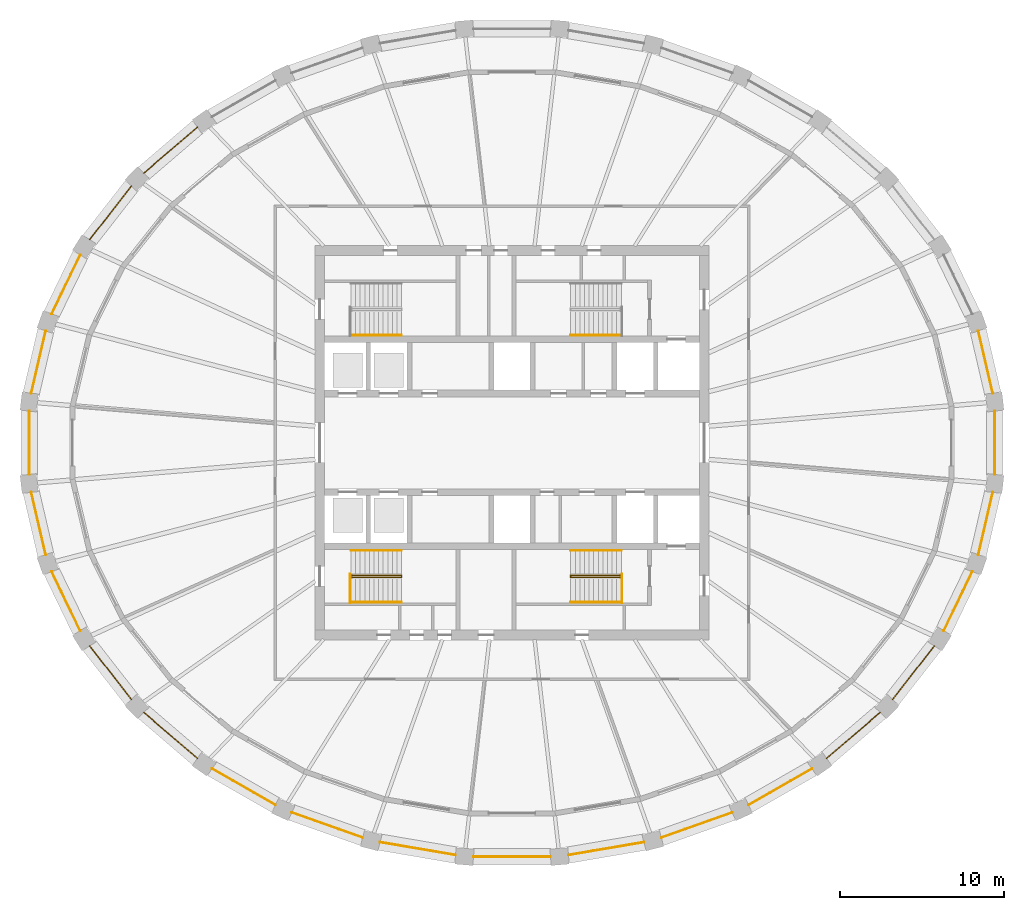
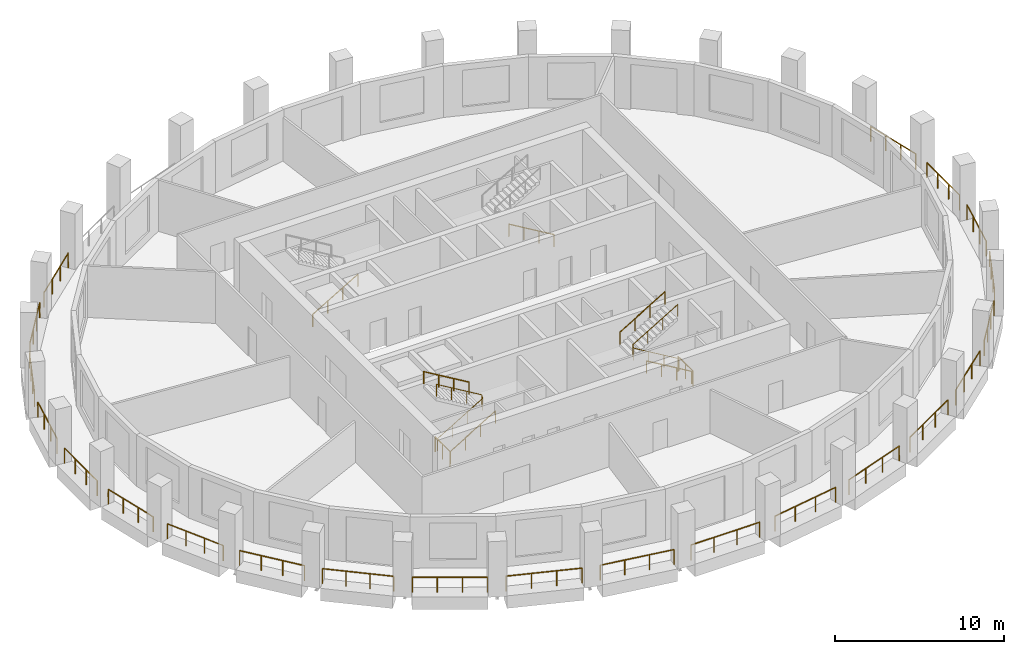
# One storey, part 8 of 10: 32 railings.
"""IFC4 building model written with IfcOpenShell, lengths in metres."""

from ifc_helpers import new_model, si_unit, direction, frame, origin, origin_2d, place, context, subcontext, project, spatial, circle, extrude, material, type_object, element, save


model = new_model("IFC4")

# Units and contexts
model_context = context("Model", 3, precision=1e-05, world=origin(), true_north=direction((0.0, 1.0)))
body_context = subcontext(model_context, "Body", "Model", "MODEL_VIEW")
ifc_project = project(units=[si_unit("LENGTHUNIT", "METRE"), si_unit("AREAUNIT", "SQUARE_METRE"), si_unit("VOLUMEUNIT", "CUBIC_METRE"), si_unit("PLANEANGLEUNIT", "RADIAN"), si_unit("MASSUNIT", "GRAM", prefix="KILO")], contexts=[model_context])

# Site, building, storey
site_placement = place(None, origin())
site = spatial("IfcSite", under=ifc_project, at=site_placement, CompositionType="ELEMENT")
building_placement = place(site_placement, origin())
building = spatial("IfcBuilding", under=site, at=building_placement, Name="Halqa Exchange Tower", CompositionType="ELEMENT")
storey_placement = place(building_placement, frame((0.0, 0.0, 284.300048828125)))
storey = spatial("IfcBuildingStorey", under=building, at=storey_placement, Name="L66", CompositionType="ELEMENT", Elevation=284.300048828125)

# Railings
ifc_material = material(Name="Stainless steel", Category="steel")
railing_type_1 = type_object("IfcRailingType", Name="Guard 1100 stainless steel", PredefinedType="GUARDRAIL", material=ifc_material)
railing_1_placement = place(storey_placement, frame((29.259765625, 3.016357421875, 0.0)))
element("IfcRailing", 1, at=railing_1_placement, inside=storey, type_object=railing_type_1, Name="Loggia guard 1", PredefinedType="GUARDRAIL", context=body_context, shape_type="SweptSolid", body=[
    extrude(circle(Radius=0.02392578125, at=origin_2d()), frame((0.0, 0.0, 1.076171875), z_axis=(-0.226072359683, 0.974110511281, 0.0), x_axis=(-0.974110511281, -0.226072359683, 0.0)), (0.0, 0.0, 1.0), 3.895263671875),
    extrude(circle(Radius=0.02099609375, at=origin_2d()), origin(), (0.0, 0.0, 1.0), 1.052001953125),
    extrude(circle(Radius=0.02099609375, at=origin_2d()), frame((-0.29345703125, 1.264892578125, 0.0)), (0.0, 0.0, 1.0), 1.052001953125),
    extrude(circle(Radius=0.02099609375, at=origin_2d()), frame((-0.587158203125, 2.529541015625, 0.0)), (0.0, 0.0, 1.0), 1.052001953125),
    extrude(circle(Radius=0.02099609375, at=origin_2d()), frame((-0.880615234375, 3.79443359375, 0.0)), (0.0, 0.0, 1.0), 1.052001953125),
])
railing_2_placement = place(storey_placement, frame((-19.14892578125, 19.205810546875, 0.0)))
element("IfcRailing", 2, at=railing_2_placement, inside=storey, type_object=railing_type_1, Name="Loggia guard 12", PredefinedType="GUARDRAIL", context=body_context, shape_type="SweptSolid", body=[
    extrude(circle(Radius=0.02392578125, at=origin_2d()), frame((0.0, 0.0, 1.076171875), z_axis=(-0.759224469346, -0.650828860105, 0.0), x_axis=(0.650828860105, -0.759224469346, 0.0)), (0.0, 0.0, 1.0), 4.290771484375),
    extrude(circle(Radius=0.02099609375, at=origin_2d()), origin(), (0.0, 0.0, 1.0), 1.052001953125),
    extrude(circle(Radius=0.02099609375, at=origin_2d()), frame((-1.0859375, -0.930908203125, 0.0)), (0.0, 0.0, 1.0), 1.052001953125),
    extrude(circle(Radius=0.02099609375, at=origin_2d()), frame((-2.171630859375, -1.861572265625, 0.0)), (0.0, 0.0, 1.0), 1.052001953125),
    extrude(circle(Radius=0.02099609375, at=origin_2d()), frame((-3.257568359375, -2.79248046875, 0.0)), (0.0, 0.0, 1.0), 1.052001953125),
])
railing_3_placement = place(storey_placement, frame((-23.162353515625, 15.62158203125, 0.0)))
element("IfcRailing", 3, at=railing_3_placement, inside=storey, type_object=railing_type_1, Name="Loggia guard 13", PredefinedType="GUARDRAIL", context=body_context, shape_type="SweptSolid", body=[
    extrude(circle(Radius=0.02392578125, at=origin_2d()), frame((0.0, 0.0, 1.076171875), z_axis=(-0.614791424405, -0.788689739047, 0.0), x_axis=(0.788689739047, -0.614791424405, 0.0)), (0.0, 0.0, 1.0), 4.13037109375),
    extrude(circle(Radius=0.02099609375, at=origin_2d()), origin(), (0.0, 0.0, 1.0), 1.052001953125),
    extrude(circle(Radius=0.02099609375, at=origin_2d()), frame((-0.846435546875, -1.0859375, 0.0)), (0.0, 0.0, 1.0), 1.052001953125),
    extrude(circle(Radius=0.02099609375, at=origin_2d()), frame((-1.69287109375, -2.171630859375, 0.0)), (0.0, 0.0, 1.0), 1.052001953125),
    extrude(circle(Radius=0.02099609375, at=origin_2d()), frame((-2.539306640625, -3.257568359375, 0.0)), (0.0, 0.0, 1.0), 1.052001953125),
])
railing_4_placement = place(storey_placement, frame((-26.279296875, 11.43505859375, 0.0)))
element("IfcRailing", 4, at=railing_4_placement, inside=storey, type_object=railing_type_1, Name="Loggia guard 14", PredefinedType="GUARDRAIL", context=body_context, shape_type="SweptSolid", body=[
    extrude(circle(Radius=0.02392578125, at=origin_2d()), frame((0.0, 0.0, 1.076171875), z_axis=(-0.43508435382, -0.900389696221, 0.0), x_axis=(0.900389696221, -0.43508435382, 0.0)), (0.0, 0.0, 1.0), 3.99072265625),
    extrude(circle(Radius=0.02099609375, at=origin_2d()), origin(), (0.0, 0.0, 1.0), 1.052001953125),
    extrude(circle(Radius=0.02099609375, at=origin_2d()), frame((-0.578857421875, -1.19775390625, 0.0)), (0.0, 0.0, 1.0), 1.052001953125),
    extrude(circle(Radius=0.02099609375, at=origin_2d()), frame((-1.157470703125, -2.3955078125, 0.0)), (0.0, 0.0, 1.0), 1.052001953125),
    extrude(circle(Radius=0.02099609375, at=origin_2d()), frame((-1.736328125, -3.59326171875, 0.0)), (0.0, 0.0, 1.0), 1.052001953125),
])
railing_5_placement = place(storey_placement, frame((-28.379150390625, 6.810791015625, 0.0)))
element("IfcRailing", 5, at=railing_5_placement, inside=storey, type_object=railing_type_1, Name="Loggia guard 15", PredefinedType="GUARDRAIL", context=body_context, shape_type="SweptSolid", body=[
    extrude(circle(Radius=0.02392578125, at=origin_2d()), frame((0.0, 0.0, 1.076171875), z_axis=(-0.226072359683, -0.974110511281, 0.0), x_axis=(0.974110511281, -0.226072359683, 0.0)), (0.0, 0.0, 1.0), 3.895263671875),
    extrude(circle(Radius=0.02099609375, at=origin_2d()), origin(), (0.0, 0.0, 1.0), 1.052001953125),
    extrude(circle(Radius=0.02099609375, at=origin_2d()), frame((-0.29345703125, -1.264892578125, 0.0)), (0.0, 0.0, 1.0), 1.052001953125),
    extrude(circle(Radius=0.02099609375, at=origin_2d()), frame((-0.587158203125, -2.529541015625, 0.0)), (0.0, 0.0, 1.0), 1.052001953125),
    extrude(circle(Radius=0.02099609375, at=origin_2d()), frame((-0.880615234375, -3.79443359375, 0.0)), (0.0, 0.0, 1.0), 1.052001953125),
])
railing_6_placement = place(storey_placement, frame((-29.384033203125, 1.9306640625, 0.0)))
element("IfcRailing", 6, at=railing_6_placement, inside=storey, type_object=railing_type_1, Name="Loggia guard 16", PredefinedType="GUARDRAIL", context=body_context, shape_type="SweptSolid", body=[
    extrude(circle(Radius=0.02392578125, at=origin_2d()), frame((0.0, 0.0, 1.076171875), z_axis=(0.0, -1.0, 0.0), x_axis=(1.0, 0.0, 0.0)), (0.0, 0.0, 1.0), 3.861328125),
    extrude(circle(Radius=0.02099609375, at=origin_2d()), origin(), (0.0, 0.0, 1.0), 1.052001953125),
    extrude(circle(Radius=0.02099609375, at=origin_2d()), frame((0.0, -1.287109375, 0.0)), (0.0, 0.0, 1.0), 1.052001953125),
    extrude(circle(Radius=0.02099609375, at=origin_2d()), frame((0.0, -2.57421875, 0.0)), (0.0, 0.0, 1.0), 1.052001953125),
    extrude(circle(Radius=0.02099609375, at=origin_2d()), frame((0.0, -3.861328125, 0.0)), (0.0, 0.0, 1.0), 1.052001953125),
])
railing_7_placement = place(storey_placement, frame((-29.259765625, -3.016357421875, 0.0)))
element("IfcRailing", 7, at=railing_7_placement, inside=storey, type_object=railing_type_1, Name="Loggia guard 17", PredefinedType="GUARDRAIL", context=body_context, shape_type="SweptSolid", body=[
    extrude(circle(Radius=0.02392578125, at=origin_2d()), frame((0.0, 0.0, 1.076171875), z_axis=(0.226072359683, -0.974110511281, 0.0), x_axis=(0.974110511281, 0.226072359683, 0.0)), (0.0, 0.0, 1.0), 3.895263671875),
    extrude(circle(Radius=0.02099609375, at=origin_2d()), origin(), (0.0, 0.0, 1.0), 1.052001953125),
    extrude(circle(Radius=0.02099609375, at=origin_2d()), frame((0.29345703125, -1.264892578125, 0.0)), (0.0, 0.0, 1.0), 1.052001953125),
    extrude(circle(Radius=0.02099609375, at=origin_2d()), frame((0.587158203125, -2.529541015625, 0.0)), (0.0, 0.0, 1.0), 1.052001953125),
    extrude(circle(Radius=0.02099609375, at=origin_2d()), frame((0.880615234375, -3.79443359375, 0.0)), (0.0, 0.0, 1.0), 1.052001953125),
])
railing_8_placement = place(storey_placement, frame((-28.015625, -7.841796875, 0.0)))
element("IfcRailing", 8, at=railing_8_placement, inside=storey, type_object=railing_type_1, Name="Loggia guard 18", PredefinedType="GUARDRAIL", context=body_context, shape_type="SweptSolid", body=[
    extrude(circle(Radius=0.02392578125, at=origin_2d()), frame((0.0, 0.0, 1.076171875), z_axis=(0.43508435382, -0.900389696221, 0.0), x_axis=(0.900389696221, 0.43508435382, 0.0)), (0.0, 0.0, 1.0), 3.99072265625),
    extrude(circle(Radius=0.02099609375, at=origin_2d()), origin(), (0.0, 0.0, 1.0), 1.052001953125),
    extrude(circle(Radius=0.02099609375, at=origin_2d()), frame((0.578857421875, -1.19775390625, 0.0)), (0.0, 0.0, 1.0), 1.052001953125),
    extrude(circle(Radius=0.02099609375, at=origin_2d()), frame((1.157470703125, -2.3955078125, 0.0)), (0.0, 0.0, 1.0), 1.052001953125),
    extrude(circle(Radius=0.02099609375, at=origin_2d()), frame((1.736328125, -3.59326171875, 0.0)), (0.0, 0.0, 1.0), 1.052001953125),
])
railing_9_placement = place(storey_placement, frame((-25.70166015625, -12.364013671875, 0.0)))
element("IfcRailing", 9, at=railing_9_placement, inside=storey, type_object=railing_type_1, Name="Loggia guard 19", PredefinedType="GUARDRAIL", context=body_context, shape_type="SweptSolid", body=[
    extrude(circle(Radius=0.02392578125, at=origin_2d()), frame((0.0, 0.0, 1.076171875), z_axis=(0.614791424405, -0.788689739047, 0.0), x_axis=(0.788689739047, 0.614791424405, 0.0)), (0.0, 0.0, 1.0), 4.13037109375),
    extrude(circle(Radius=0.02099609375, at=origin_2d()), origin(), (0.0, 0.0, 1.0), 1.052001953125),
    extrude(circle(Radius=0.02099609375, at=origin_2d()), frame((0.846435546875, -1.0859375, 0.0)), (0.0, 0.0, 1.0), 1.052001953125),
    extrude(circle(Radius=0.02099609375, at=origin_2d()), frame((1.69287109375, -2.171630859375, 0.0)), (0.0, 0.0, 1.0), 1.052001953125),
    extrude(circle(Radius=0.02099609375, at=origin_2d()), frame((2.539306640625, -3.257568359375, 0.0)), (0.0, 0.0, 1.0), 1.052001953125),
])
railing_10_placement = place(storey_placement, frame((-22.406494140625, -16.413330078125, 0.0)))
element("IfcRailing", 10, at=railing_10_placement, inside=storey, type_object=railing_type_1, Name="Loggia guard 20", PredefinedType="GUARDRAIL", context=body_context, shape_type="SweptSolid", body=[
    extrude(circle(Radius=0.02392578125, at=origin_2d()), frame((0.0, 0.0, 1.076171875), z_axis=(0.759224469346, -0.650828860105, 0.0), x_axis=(0.650828860105, 0.759224469346, 0.0)), (0.0, 0.0, 1.0), 4.290771484375),
    extrude(circle(Radius=0.02099609375, at=origin_2d()), origin(), (0.0, 0.0, 1.0), 1.052001953125),
    extrude(circle(Radius=0.02099609375, at=origin_2d()), frame((1.0859375, -0.930908203125, 0.0)), (0.0, 0.0, 1.0), 1.052001953125),
    extrude(circle(Radius=0.02099609375, at=origin_2d()), frame((2.171630859375, -1.861572265625, 0.0)), (0.0, 0.0, 1.0), 1.052001953125),
    extrude(circle(Radius=0.02099609375, at=origin_2d()), frame((3.257568359375, -2.79248046875, 0.0)), (0.0, 0.0, 1.0), 1.052001953125),
])
railing_11_placement = place(storey_placement, frame((-18.25390625, -19.8369140625, 0.0)))
element("IfcRailing", 11, at=railing_11_placement, inside=storey, type_object=railing_type_1, Name="Loggia guard 21", PredefinedType="GUARDRAIL", context=body_context, shape_type="SweptSolid", body=[
    extrude(circle(Radius=0.02392578125, at=origin_2d()), frame((0.0, 0.0, 1.076171875), z_axis=(0.867739182738, -0.497019829323, 0.0), x_axis=(0.497019829323, 0.867739182738, 0.0)), (0.0, 0.0, 1.0), 4.446044921875),
    extrude(circle(Radius=0.02099609375, at=origin_2d()), origin(), (0.0, 0.0, 1.0), 1.052001953125),
    extrude(circle(Radius=0.02099609375, at=origin_2d()), frame((1.285888671875, -0.736572265625, 0.0)), (0.0, 0.0, 1.0), 1.052001953125),
    extrude(circle(Radius=0.02099609375, at=origin_2d()), frame((2.572021484375, -1.47314453125, 0.0)), (0.0, 0.0, 1.0), 1.052001953125),
    extrude(circle(Radius=0.02099609375, at=origin_2d()), frame((3.85791015625, -2.209716796875, 0.0)), (0.0, 0.0, 1.0), 1.052001953125),
])
railing_12_placement = place(storey_placement, frame((-13.400390625, -22.50390625, 0.0)))
element("IfcRailing", 12, at=railing_12_placement, inside=storey, type_object=railing_type_1, Name="Loggia guard 22", PredefinedType="GUARDRAIL", context=body_context, shape_type="SweptSolid", body=[
    extrude(circle(Radius=0.02392578125, at=origin_2d()), frame((0.0, 0.0, 1.076171875), z_axis=(0.942372934401, -0.334564272611, 0.0), x_axis=(0.334564272611, 0.942372934401, 0.0)), (0.0, 0.0, 1.0), 4.57470703125),
    extrude(circle(Radius=0.02099609375, at=origin_2d()), origin(), (0.0, 0.0, 1.0), 1.052001953125),
    extrude(circle(Radius=0.02099609375, at=origin_2d()), frame((1.43701171875, -0.51025390625, 0.0)), (0.0, 0.0, 1.0), 1.052001953125),
    extrude(circle(Radius=0.02099609375, at=origin_2d()), frame((2.8740234375, -1.020263671875, 0.0)), (0.0, 0.0, 1.0), 1.052001953125),
    extrude(circle(Radius=0.02099609375, at=origin_2d()), frame((4.31103515625, -1.530517578125, 0.0)), (0.0, 0.0, 1.0), 1.052001953125),
])
railing_13_placement = place(storey_placement, frame((-8.02880859375, -24.310791015625, 0.0)))
element("IfcRailing", 13, at=railing_13_placement, inside=storey, type_object=railing_type_1, Name="Loggia guard 23", PredefinedType="GUARDRAIL", context=body_context, shape_type="SweptSolid", body=[
    extrude(circle(Radius=0.02392578125, at=origin_2d()), frame((0.0, 0.0, 1.076171875), z_axis=(0.985768001881, -0.168111410878, 0.0), x_axis=(0.168111410878, 0.985768001881, 0.0)), (0.0, 0.0, 1.0), 4.658935546875),
    extrude(circle(Radius=0.02099609375, at=origin_2d()), origin(), (0.0, 0.0, 1.0), 1.052001953125),
    extrude(circle(Radius=0.02099609375, at=origin_2d()), frame((1.53076171875, -0.260986328125, 0.0)), (0.0, 0.0, 1.0), 1.052001953125),
    extrude(circle(Radius=0.02099609375, at=origin_2d()), frame((3.061767578125, -0.522216796875, 0.0)), (0.0, 0.0, 1.0), 1.052001953125),
    extrude(circle(Radius=0.02099609375, at=origin_2d()), frame((4.592529296875, -0.783203125, 0.0)), (0.0, 0.0, 1.0), 1.052001953125),
])
railing_14_placement = place(storey_placement, frame((-2.343994140625, -25.186279296875, 0.0)))
element("IfcRailing", 14, at=railing_14_placement, inside=storey, type_object=railing_type_1, Name="Loggia guard 24", PredefinedType="GUARDRAIL", context=body_context, shape_type="SweptSolid", body=[
    extrude(circle(Radius=0.02392578125, at=origin_2d()), frame((0.0, 0.0, 1.076171875), z_axis=(1.0, 0.0, 0.0), x_axis=(0.0, 1.0, 0.0)), (0.0, 0.0, 1.0), 4.68798828125),
    extrude(circle(Radius=0.02099609375, at=origin_2d()), origin(), (0.0, 0.0, 1.0), 1.052001953125),
    extrude(circle(Radius=0.02099609375, at=origin_2d()), frame((1.562744140625, 0.0, 0.0)), (0.0, 0.0, 1.0), 1.052001953125),
    extrude(circle(Radius=0.02099609375, at=origin_2d()), frame((3.125244140625, 0.0, 0.0)), (0.0, 0.0, 1.0), 1.052001953125),
    extrude(circle(Radius=0.02099609375, at=origin_2d()), frame((4.68798828125, 0.0, 0.0)), (0.0, 0.0, 1.0), 1.052001953125),
])
railing_15_placement = place(storey_placement, frame((3.436279296875, -25.093994140625, 0.0)))
element("IfcRailing", 15, at=railing_15_placement, inside=storey, type_object=railing_type_1, Name="Loggia guard 25", PredefinedType="GUARDRAIL", context=body_context, shape_type="SweptSolid", body=[
    extrude(circle(Radius=0.02392578125, at=origin_2d()), frame((0.0, 0.0, 1.076171875), z_axis=(0.985768001881, 0.168111410878, 0.0), x_axis=(-0.168111410878, 0.985768001881, 0.0)), (0.0, 0.0, 1.0), 4.658935546875),
    extrude(circle(Radius=0.02099609375, at=origin_2d()), origin(), (0.0, 0.0, 1.0), 1.052001953125),
    extrude(circle(Radius=0.02099609375, at=origin_2d()), frame((1.53076171875, 0.260986328125, 0.0)), (0.0, 0.0, 1.0), 1.052001953125),
    extrude(circle(Radius=0.02099609375, at=origin_2d()), frame((3.061767578125, 0.522216796875, 0.0)), (0.0, 0.0, 1.0), 1.052001953125),
    extrude(circle(Radius=0.02099609375, at=origin_2d()), frame((4.592529296875, 0.783203125, 0.0)), (0.0, 0.0, 1.0), 1.052001953125),
])
railing_16_placement = place(storey_placement, frame((9.08935546875, -24.034423828125, 0.0)))
element("IfcRailing", 16, at=railing_16_placement, inside=storey, type_object=railing_type_1, Name="Loggia guard 26", PredefinedType="GUARDRAIL", context=body_context, shape_type="SweptSolid", body=[
    extrude(circle(Radius=0.02392578125, at=origin_2d()), frame((0.0, 0.0, 1.076171875), z_axis=(0.942372934401, 0.334564272611, 0.0), x_axis=(-0.334564272611, 0.942372934401, 0.0)), (0.0, 0.0, 1.0), 4.57470703125),
    extrude(circle(Radius=0.02099609375, at=origin_2d()), origin(), (0.0, 0.0, 1.0), 1.052001953125),
    extrude(circle(Radius=0.02099609375, at=origin_2d()), frame((1.43701171875, 0.51025390625, 0.0)), (0.0, 0.0, 1.0), 1.052001953125),
    extrude(circle(Radius=0.02099609375, at=origin_2d()), frame((2.8740234375, 1.020263671875, 0.0)), (0.0, 0.0, 1.0), 1.052001953125),
    extrude(circle(Radius=0.02099609375, at=origin_2d()), frame((4.31103515625, 1.530517578125, 0.0)), (0.0, 0.0, 1.0), 1.052001953125),
])
railing_17_placement = place(storey_placement, frame((14.39599609375, -22.046630859375, 0.0)))
element("IfcRailing", 17, at=railing_17_placement, inside=storey, type_object=railing_type_1, Name="Loggia guard 27", PredefinedType="GUARDRAIL", context=body_context, shape_type="SweptSolid", body=[
    extrude(circle(Radius=0.02392578125, at=origin_2d()), frame((0.0, 0.0, 1.076171875), z_axis=(0.867739182738, 0.497019829323, 0.0), x_axis=(-0.497019829323, 0.867739182738, 0.0)), (0.0, 0.0, 1.0), 4.446044921875),
    extrude(circle(Radius=0.02099609375, at=origin_2d()), origin(), (0.0, 0.0, 1.0), 1.052001953125),
    extrude(circle(Radius=0.02099609375, at=origin_2d()), frame((1.285888671875, 0.736572265625, 0.0)), (0.0, 0.0, 1.0), 1.052001953125),
    extrude(circle(Radius=0.02099609375, at=origin_2d()), frame((2.572021484375, 1.47314453125, 0.0)), (0.0, 0.0, 1.0), 1.052001953125),
    extrude(circle(Radius=0.02099609375, at=origin_2d()), frame((3.85791015625, 2.209716796875, 0.0)), (0.0, 0.0, 1.0), 1.052001953125),
])
railing_18_placement = place(storey_placement, frame((19.14892578125, -19.205810546875, 0.0)))
element("IfcRailing", 18, at=railing_18_placement, inside=storey, type_object=railing_type_1, Name="Loggia guard 28", PredefinedType="GUARDRAIL", context=body_context, shape_type="SweptSolid", body=[
    extrude(circle(Radius=0.02392578125, at=origin_2d()), frame((0.0, 0.0, 1.076171875), z_axis=(0.759224469346, 0.650828860105, 0.0), x_axis=(-0.650828860105, 0.759224469346, 0.0)), (0.0, 0.0, 1.0), 4.290771484375),
    extrude(circle(Radius=0.02099609375, at=origin_2d()), origin(), (0.0, 0.0, 1.0), 1.052001953125),
    extrude(circle(Radius=0.02099609375, at=origin_2d()), frame((1.0859375, 0.930908203125, 0.0)), (0.0, 0.0, 1.0), 1.052001953125),
    extrude(circle(Radius=0.02099609375, at=origin_2d()), frame((2.171630859375, 1.861572265625, 0.0)), (0.0, 0.0, 1.0), 1.052001953125),
    extrude(circle(Radius=0.02099609375, at=origin_2d()), frame((3.257568359375, 2.79248046875, 0.0)), (0.0, 0.0, 1.0), 1.052001953125),
])
railing_19_placement = place(storey_placement, frame((23.162353515625, -15.62158203125, 0.0)))
element("IfcRailing", 19, at=railing_19_placement, inside=storey, type_object=railing_type_1, Name="Loggia guard 29", PredefinedType="GUARDRAIL", context=body_context, shape_type="SweptSolid", body=[
    extrude(circle(Radius=0.02392578125, at=origin_2d()), frame((0.0, 0.0, 1.076171875), z_axis=(0.614791424405, 0.788689739047, 0.0), x_axis=(-0.788689739047, 0.614791424405, 0.0)), (0.0, 0.0, 1.0), 4.13037109375),
    extrude(circle(Radius=0.02099609375, at=origin_2d()), origin(), (0.0, 0.0, 1.0), 1.052001953125),
    extrude(circle(Radius=0.02099609375, at=origin_2d()), frame((0.846435546875, 1.0859375, 0.0)), (0.0, 0.0, 1.0), 1.052001953125),
    extrude(circle(Radius=0.02099609375, at=origin_2d()), frame((1.69287109375, 2.171630859375, 0.0)), (0.0, 0.0, 1.0), 1.052001953125),
    extrude(circle(Radius=0.02099609375, at=origin_2d()), frame((2.539306640625, 3.257568359375, 0.0)), (0.0, 0.0, 1.0), 1.052001953125),
])
railing_20_placement = place(storey_placement, frame((26.279296875, -11.43505859375, 0.0)))
element("IfcRailing", 20, at=railing_20_placement, inside=storey, type_object=railing_type_1, Name="Loggia guard 30", PredefinedType="GUARDRAIL", context=body_context, shape_type="SweptSolid", body=[
    extrude(circle(Radius=0.02392578125, at=origin_2d()), frame((0.0, 0.0, 1.076171875), z_axis=(0.43508435382, 0.900389696221, 0.0), x_axis=(-0.900389696221, 0.43508435382, 0.0)), (0.0, 0.0, 1.0), 3.99072265625),
    extrude(circle(Radius=0.02099609375, at=origin_2d()), origin(), (0.0, 0.0, 1.0), 1.052001953125),
    extrude(circle(Radius=0.02099609375, at=origin_2d()), frame((0.578857421875, 1.19775390625, 0.0)), (0.0, 0.0, 1.0), 1.052001953125),
    extrude(circle(Radius=0.02099609375, at=origin_2d()), frame((1.157470703125, 2.3955078125, 0.0)), (0.0, 0.0, 1.0), 1.052001953125),
    extrude(circle(Radius=0.02099609375, at=origin_2d()), frame((1.736328125, 3.59326171875, 0.0)), (0.0, 0.0, 1.0), 1.052001953125),
])
railing_21_placement = place(storey_placement, frame((28.379150390625, -6.810791015625, 0.0)))
element("IfcRailing", 21, at=railing_21_placement, inside=storey, type_object=railing_type_1, Name="Loggia guard 31", PredefinedType="GUARDRAIL", context=body_context, shape_type="SweptSolid", body=[
    extrude(circle(Radius=0.02392578125, at=origin_2d()), frame((0.0, 0.0, 1.076171875), z_axis=(0.226072359683, 0.974110511281, 0.0), x_axis=(-0.974110511281, 0.226072359683, 0.0)), (0.0, 0.0, 1.0), 3.895263671875),
    extrude(circle(Radius=0.02099609375, at=origin_2d()), origin(), (0.0, 0.0, 1.0), 1.052001953125),
    extrude(circle(Radius=0.02099609375, at=origin_2d()), frame((0.29345703125, 1.264892578125, 0.0)), (0.0, 0.0, 1.0), 1.052001953125),
    extrude(circle(Radius=0.02099609375, at=origin_2d()), frame((0.587158203125, 2.529541015625, 0.0)), (0.0, 0.0, 1.0), 1.052001953125),
    extrude(circle(Radius=0.02099609375, at=origin_2d()), frame((0.880615234375, 3.79443359375, 0.0)), (0.0, 0.0, 1.0), 1.052001953125),
])
railing_22_placement = place(storey_placement, frame((29.384033203125, -1.9306640625, 0.0)))
element("IfcRailing", 22, at=railing_22_placement, inside=storey, type_object=railing_type_1, Name="Loggia guard 32", PredefinedType="GUARDRAIL", context=body_context, shape_type="SweptSolid", body=[
    extrude(circle(Radius=0.02392578125, at=origin_2d()), frame((0.0, 0.0, 1.076171875), z_axis=(0.0, 1.0, 0.0), x_axis=(-1.0, 0.0, 0.0)), (0.0, 0.0, 1.0), 3.861328125),
    extrude(circle(Radius=0.02099609375, at=origin_2d()), origin(), (0.0, 0.0, 1.0), 1.052001953125),
    extrude(circle(Radius=0.02099609375, at=origin_2d()), frame((0.0, 1.287109375, 0.0)), (0.0, 0.0, 1.0), 1.052001953125),
    extrude(circle(Radius=0.02099609375, at=origin_2d()), frame((0.0, 2.57421875, 0.0)), (0.0, 0.0, 1.0), 1.052001953125),
    extrude(circle(Radius=0.02099609375, at=origin_2d()), frame((0.0, 3.861328125, 0.0)), (0.0, 0.0, 1.0), 1.052001953125),
])
railing_type_2 = type_object("IfcRailingType", Name="Stair handrail 900", PredefinedType="HANDRAIL", material=ifc_material)
railing_23_placement = place(storey_placement, frame((-9.800048828125, 6.550048828125, 0.166748046875)))
element("IfcRailing", 23, at=railing_23_placement, inside=storey, type_object=railing_type_2, Name="Handrail ST1.2", PredefinedType="HANDRAIL", context=body_context, shape_type="SweptSolid", body=[
    extrude(circle(Radius=0.02392578125, at=origin_2d()), frame((0.0, 0.0, 0.8759765625), z_axis=(0.859308565015, 0.0, 0.511457515432), x_axis=(0.0, 1.0, 0.0)), (0.0, 0.0, 1.0), 3.58447265625),
    extrude(circle(Radius=0.02099609375, at=origin_2d()), origin(), (0.0, 0.0, 1.0), 0.851806640625),
    extrude(circle(Radius=0.02099609375, at=origin_2d()), frame((1.026611328125, 0.0, 0.611083984375)), (0.0, 0.0, 1.0), 0.851806640625),
    extrude(circle(Radius=0.02099609375, at=origin_2d()), frame((2.053466796875, 0.0, 1.22216796875)), (0.0, 0.0, 1.0), 0.851806640625),
    extrude(circle(Radius=0.02099609375, at=origin_2d()), frame((3.080078125, 0.0, 1.833251953125)), (0.0, 0.0, 1.0), 0.851806640625),
])
railing_24_placement = place(storey_placement, frame((6.64990234375, 6.550048828125, 0.166748046875)))
element("IfcRailing", 24, at=railing_24_placement, inside=storey, type_object=railing_type_2, Name="Handrail ST2.2", PredefinedType="HANDRAIL", context=body_context, shape_type="SweptSolid", body=[
    extrude(circle(Radius=0.02392578125, at=origin_2d()), frame((0.0, 0.0, 0.8759765625), z_axis=(-0.859290745958, 0.0, 0.51148745235), x_axis=(0.0, -1.0, 0.0)), (0.0, 0.0, 1.0), 3.584228515625),
    extrude(circle(Radius=0.02099609375, at=origin_2d()), origin(), (0.0, 0.0, 1.0), 0.851806640625),
    extrude(circle(Radius=0.02099609375, at=origin_2d()), frame((-1.026611328125, 0.0, 0.611083984375)), (0.0, 0.0, 1.0), 0.851806640625),
    extrude(circle(Radius=0.02099609375, at=origin_2d()), frame((-2.05322265625, 0.0, 1.22216796875)), (0.0, 0.0, 1.0), 0.851806640625),
    extrude(circle(Radius=0.02099609375, at=origin_2d()), frame((-3.079833984375, 0.0, 1.833251953125)), (0.0, 0.0, 1.0), 0.851806640625),
])
railing_25_placement = place(storey_placement, frame((-9.800048828125, -8.18994140625, 0.166748046875)))
element("IfcRailing", 25, at=railing_25_placement, inside=storey, type_object=railing_type_2, Name="Handrail ST3.1", PredefinedType="HANDRAIL", context=body_context, shape_type="SweptSolid", body=[
    extrude(circle(Radius=0.02392578125, at=origin_2d()), frame((0.0, 0.0, 0.8759765625), z_axis=(0.859308565015, 0.0, 0.511457515432), x_axis=(0.0, 1.0, 0.0)), (0.0, 0.0, 1.0), 3.58447265625),
    extrude(circle(Radius=0.02392578125, at=origin_2d()), frame((3.080078125, 0.0, 2.708984375), z_axis=(0.0, 0.614500226555, 0.788916644243), x_axis=(-1.0, 0.0, 0.0)), (0.0, 0.0, 1.0), 0.21142578125),
    extrude(circle(Radius=0.02392578125, at=origin_2d()), frame((3.080078125, 0.1298828125, 2.8759765625), z_axis=(-0.859308565015, 0.0, 0.511457515432), x_axis=(0.0, -1.0, 0.0)), (0.0, 0.0, 1.0), 3.58447265625),
    extrude(circle(Radius=0.02099609375, at=origin_2d()), origin(), (0.0, 0.0, 1.0), 0.851806640625),
    extrude(circle(Radius=0.02099609375, at=origin_2d()), frame((1.026611328125, 0.0, 0.611083984375)), (0.0, 0.0, 1.0), 0.851806640625),
    extrude(circle(Radius=0.02099609375, at=origin_2d()), frame((2.053466796875, 0.0, 1.22216796875)), (0.0, 0.0, 1.0), 0.851806640625),
    extrude(circle(Radius=0.02099609375, at=origin_2d()), frame((3.080078125, 0.0, 1.833251953125)), (0.0, 0.0, 1.0), 0.851806640625),
    extrude(circle(Radius=0.02099609375, at=origin_2d()), frame((3.080078125, 0.1298828125, 2.0)), (0.0, 0.0, 1.0), 0.851806640625),
    extrude(circle(Radius=0.02099609375, at=origin_2d()), frame((2.053466796875, 0.1298828125, 2.611083984375)), (0.0, 0.0, 1.0), 0.851806640625),
    extrude(circle(Radius=0.02099609375, at=origin_2d()), frame((1.026611328125, 0.1298828125, 3.22216796875)), (0.0, 0.0, 1.0), 0.851806640625),
    extrude(circle(Radius=0.02099609375, at=origin_2d()), frame((0.0, 0.1298828125, 3.833251953125)), (0.0, 0.0, 1.0), 0.851806640625),
])
railing_26_placement = place(storey_placement, frame((-9.800048828125, -9.699951171875, 0.166748046875)))
element("IfcRailing", 26, at=railing_26_placement, inside=storey, type_object=railing_type_2, Name="Handrail ST3.2", PredefinedType="HANDRAIL", context=body_context, shape_type="SweptSolid", body=[
    extrude(circle(Radius=0.02392578125, at=origin_2d()), frame((0.0, 0.0, 0.8759765625), z_axis=(0.859308565015, 0.0, 0.511457515432), x_axis=(0.0, 1.0, 0.0)), (0.0, 0.0, 1.0), 3.58447265625),
    extrude(circle(Radius=0.02099609375, at=origin_2d()), origin(), (0.0, 0.0, 1.0), 0.851806640625),
    extrude(circle(Radius=0.02099609375, at=origin_2d()), frame((1.026611328125, 0.0, 0.611083984375)), (0.0, 0.0, 1.0), 0.851806640625),
    extrude(circle(Radius=0.02099609375, at=origin_2d()), frame((2.053466796875, 0.0, 1.22216796875)), (0.0, 0.0, 1.0), 0.851806640625),
    extrude(circle(Radius=0.02099609375, at=origin_2d()), frame((3.080078125, 0.0, 1.833251953125)), (0.0, 0.0, 1.0), 0.851806640625),
])
railing_27_placement = place(storey_placement, frame((-6.719970703125, -6.550048828125, 2.166748046875)))
element("IfcRailing", 27, at=railing_27_placement, inside=storey, type_object=railing_type_2, Name="Handrail ST3.3", PredefinedType="HANDRAIL", context=body_context, shape_type="SweptSolid", body=[
    extrude(circle(Radius=0.02392578125, at=origin_2d()), frame((0.0, 0.0, 0.8759765625), z_axis=(-0.859308565015, 0.0, 0.511457515432), x_axis=(0.0, -1.0, 0.0)), (0.0, 0.0, 1.0), 3.58447265625),
    extrude(circle(Radius=0.02099609375, at=origin_2d()), origin(), (0.0, 0.0, 1.0), 0.851806640625),
    extrude(circle(Radius=0.02099609375, at=origin_2d()), frame((-1.026611328125, 0.0, 0.611083984375)), (0.0, 0.0, 1.0), 0.851806640625),
    extrude(circle(Radius=0.02099609375, at=origin_2d()), frame((-2.053466796875, 0.0, 1.22216796875)), (0.0, 0.0, 1.0), 0.851806640625),
    extrude(circle(Radius=0.02099609375, at=origin_2d()), frame((-3.080078125, 0.0, 1.833251953125)), (0.0, 0.0, 1.0), 0.851806640625),
])
railing_28_placement = place(storey_placement, frame((6.64990234375, -8.18994140625, 0.166748046875)))
element("IfcRailing", 28, at=railing_28_placement, inside=storey, type_object=railing_type_2, Name="Handrail ST4.1", PredefinedType="HANDRAIL", context=body_context, shape_type="SweptSolid", body=[
    extrude(circle(Radius=0.02392578125, at=origin_2d()), frame((0.0, 0.0, 0.8759765625), z_axis=(-0.859290745958, 0.0, 0.51148745235), x_axis=(0.0, -1.0, 0.0)), (0.0, 0.0, 1.0), 3.584228515625),
    extrude(circle(Radius=0.02392578125, at=origin_2d()), frame((-3.079833984375, 0.0, 2.708984375), z_axis=(0.0, 0.614500226555, 0.788916644243), x_axis=(-1.0, 0.0, 0.0)), (0.0, 0.0, 1.0), 0.21142578125),
    extrude(circle(Radius=0.02392578125, at=origin_2d()), frame((-3.079833984375, 0.1298828125, 2.8759765625), z_axis=(0.859290745958, 0.0, 0.51148745235), x_axis=(0.0, 1.0, 0.0)), (0.0, 0.0, 1.0), 3.584228515625),
    extrude(circle(Radius=0.02099609375, at=origin_2d()), origin(), (0.0, 0.0, 1.0), 0.851806640625),
    extrude(circle(Radius=0.02099609375, at=origin_2d()), frame((-1.026611328125, 0.0, 0.611083984375)), (0.0, 0.0, 1.0), 0.851806640625),
    extrude(circle(Radius=0.02099609375, at=origin_2d()), frame((-2.05322265625, 0.0, 1.22216796875)), (0.0, 0.0, 1.0), 0.851806640625),
    extrude(circle(Radius=0.02099609375, at=origin_2d()), frame((-3.079833984375, 0.0, 1.833251953125)), (0.0, 0.0, 1.0), 0.851806640625),
    extrude(circle(Radius=0.02099609375, at=origin_2d()), frame((-3.079833984375, 0.1298828125, 2.0)), (0.0, 0.0, 1.0), 0.851806640625),
    extrude(circle(Radius=0.02099609375, at=origin_2d()), frame((-2.05322265625, 0.1298828125, 2.611083984375)), (0.0, 0.0, 1.0), 0.851806640625),
    extrude(circle(Radius=0.02099609375, at=origin_2d()), frame((-1.026611328125, 0.1298828125, 3.22216796875)), (0.0, 0.0, 1.0), 0.851806640625),
    extrude(circle(Radius=0.02099609375, at=origin_2d()), frame((0.0, 0.1298828125, 3.833251953125)), (0.0, 0.0, 1.0), 0.851806640625),
])
railing_29_placement = place(storey_placement, frame((6.64990234375, -9.699951171875, 0.166748046875)))
element("IfcRailing", 29, at=railing_29_placement, inside=storey, type_object=railing_type_2, Name="Handrail ST4.2", PredefinedType="HANDRAIL", context=body_context, shape_type="SweptSolid", body=[
    extrude(circle(Radius=0.02392578125, at=origin_2d()), frame((0.0, 0.0, 0.8759765625), z_axis=(-0.859290745958, 0.0, 0.51148745235), x_axis=(0.0, -1.0, 0.0)), (0.0, 0.0, 1.0), 3.584228515625),
    extrude(circle(Radius=0.02099609375, at=origin_2d()), origin(), (0.0, 0.0, 1.0), 0.851806640625),
    extrude(circle(Radius=0.02099609375, at=origin_2d()), frame((-1.026611328125, 0.0, 0.611083984375)), (0.0, 0.0, 1.0), 0.851806640625),
    extrude(circle(Radius=0.02099609375, at=origin_2d()), frame((-2.05322265625, 0.0, 1.22216796875)), (0.0, 0.0, 1.0), 0.851806640625),
    extrude(circle(Radius=0.02099609375, at=origin_2d()), frame((-3.079833984375, 0.0, 1.833251953125)), (0.0, 0.0, 1.0), 0.851806640625),
])
railing_30_placement = place(storey_placement, frame((3.570068359375, -6.550048828125, 2.166748046875)))
element("IfcRailing", 30, at=railing_30_placement, inside=storey, type_object=railing_type_2, Name="Handrail ST4.3", PredefinedType="HANDRAIL", context=body_context, shape_type="SweptSolid", body=[
    extrude(circle(Radius=0.02392578125, at=origin_2d()), frame((0.0, 0.0, 0.8759765625), z_axis=(0.859290745958, 0.0, 0.51148745235), x_axis=(0.0, 1.0, 0.0)), (0.0, 0.0, 1.0), 3.584228515625),
    extrude(circle(Radius=0.02099609375, at=origin_2d()), origin(), (0.0, 0.0, 1.0), 0.851806640625),
    extrude(circle(Radius=0.02099609375, at=origin_2d()), frame((1.026611328125, 0.0, 0.611083984375)), (0.0, 0.0, 1.0), 0.851806640625),
    extrude(circle(Radius=0.02099609375, at=origin_2d()), frame((2.05322265625, 0.0, 1.22216796875)), (0.0, 0.0, 1.0), 0.851806640625),
    extrude(circle(Radius=0.02099609375, at=origin_2d()), frame((3.079833984375, 0.0, 1.833251953125)), (0.0, 0.0, 1.0), 0.851806640625),
])
railing_type_3 = type_object("IfcRailingType", Name="Stair well guard 1100", PredefinedType="GUARDRAIL", material=ifc_material)
for number, where, name in (
    (31, (-9.85009765625, -9.75, 0.0), "Guard ST3 well"),
    (32, (6.699951171875, -9.75, 0.0), "Guard ST4 well"),
):
    element("IfcRailing", number, at=place(storey_placement, frame(where)), inside=storey, type_object=railing_type_3, Name=name, PredefinedType="GUARDRAIL", context=body_context, shape_type="SweptSolid", body=[
        extrude(circle(Radius=0.02392578125, at=origin_2d()), frame((0.0, 0.0, 1.076171875), z_axis=(0.0, 1.0, 0.0), x_axis=(-1.0, 0.0, 0.0)), (0.0, 0.0, 1.0), 1.75),
        extrude(circle(Radius=0.02099609375, at=origin_2d()), origin(), (0.0, 0.0, 1.0), 1.052001953125),
        extrude(circle(Radius=0.02099609375, at=origin_2d()), frame((0.0, 0.875, 0.0)), (0.0, 0.0, 1.0), 1.052001953125),
        extrude(circle(Radius=0.02099609375, at=origin_2d()), frame((0.0, 1.75, 0.0)), (0.0, 0.0, 1.0), 1.052001953125),
    ])

save(model, "model.ifc")
